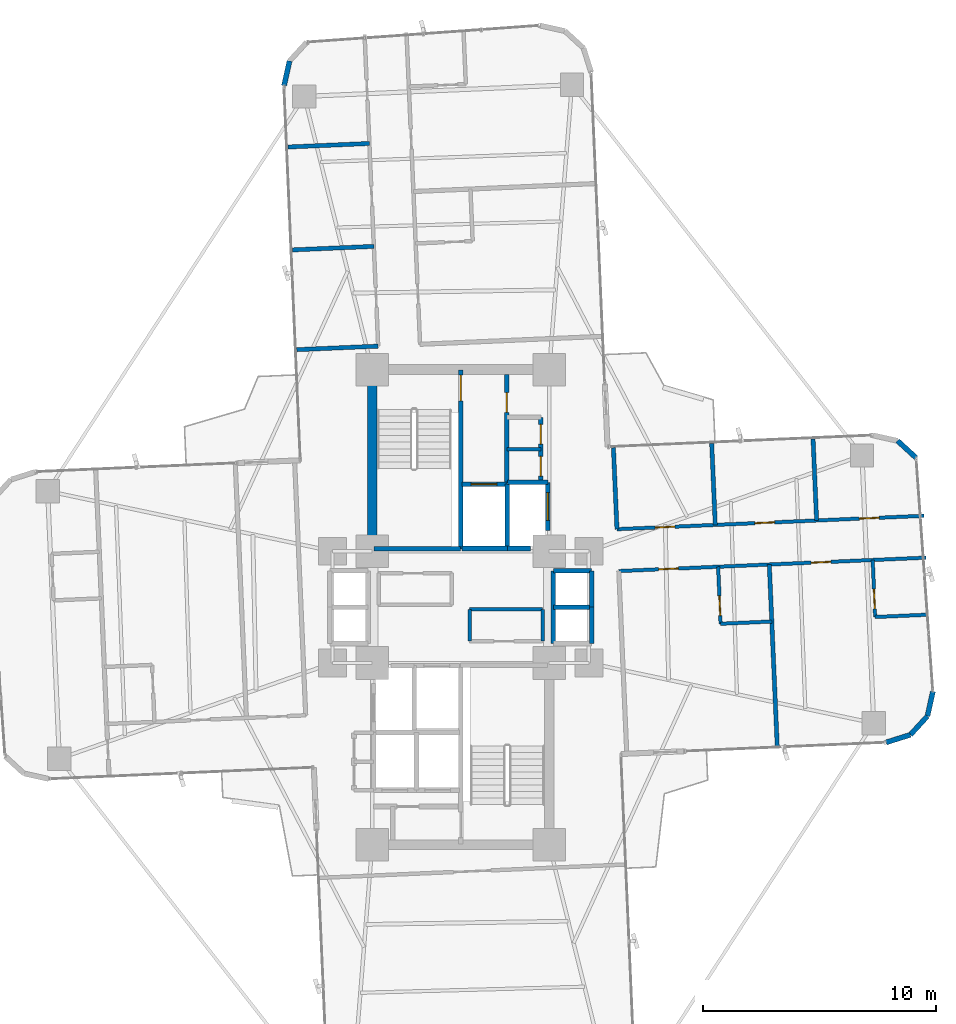
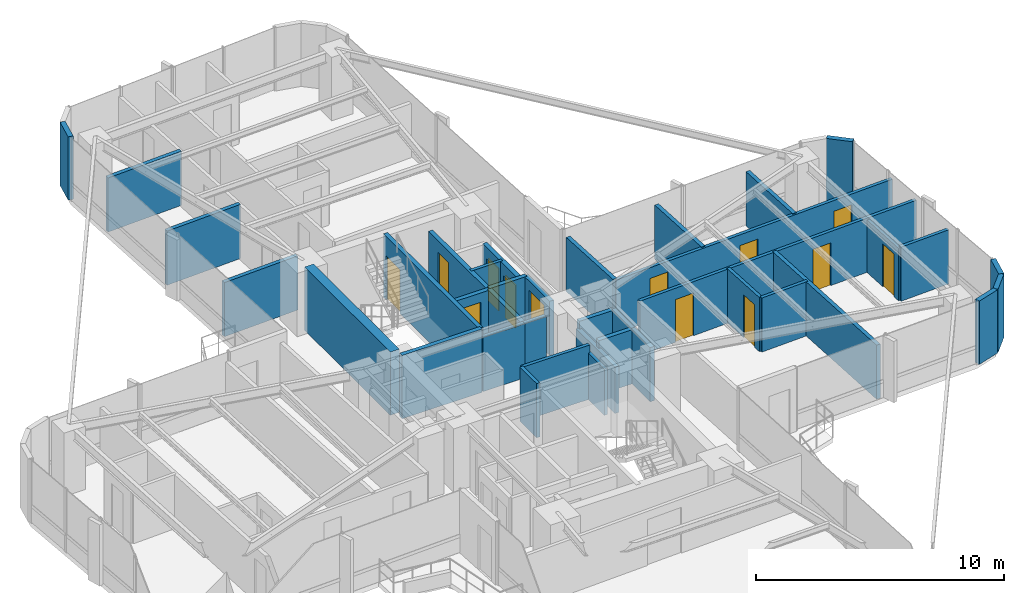
# One storey, part 24 of 26: 38 walls, 13 doors, 13 openings.
"""IFC4 building model written with IfcOpenShell, lengths in metres."""

from ifc_helpers import new_model, si_unit, direction, frame, frame_2d, origin, origin_2d, place, context, subcontext, project, spatial, rectangle, extrude, source, transform, mapped, material, layer, layer_set, type_object, element, fill, save


model = new_model("IFC4")

# Units and contexts
model_context = context("Model", 3, precision=1e-05, world=origin(), true_north=direction((0.0, 1.0)))
body_context = subcontext(model_context, "Body", "Model", "MODEL_VIEW")
ifc_project = project(units=[si_unit("LENGTHUNIT", "METRE"), si_unit("AREAUNIT", "SQUARE_METRE"), si_unit("VOLUMEUNIT", "CUBIC_METRE"), si_unit("PLANEANGLEUNIT", "RADIAN"), si_unit("MASSUNIT", "GRAM", prefix="KILO")], contexts=[model_context])

# Site, building, storey
site_placement = place(None, origin())
site = spatial("IfcSite", under=ifc_project, at=site_placement, CompositionType="ELEMENT")
building_placement = place(site_placement, origin())
building = spatial("IfcBuilding", under=site, at=building_placement, Name="Sahyath Konkavel Grand Hotel", CompositionType="ELEMENT")
storey_placement = place(building_placement, frame((0.0, 0.0, 131.550048828125)))
storey = spatial("IfcBuildingStorey", under=building, at=storey_placement, Name="L36", CompositionType="ELEMENT", Elevation=131.550048828125)

# Walls
ifc_material_1 = material(Name="Concrete C50/60", Category="concrete")
ifc_layer_1 = layer(ifc_material_1, 0.419921875)
ifc_layer_set_1 = layer_set([ifc_layer_1], Name="Concrete C50/60")
wall_type_1 = type_object("IfcWallType", Name="CWALL-420", PredefinedType="SHEAR", material=ifc_layer_set_1)
wall_1_placement = place(storey_placement, frame((-3.800048828125, 2.85009765625, 0.0), z_axis=(0.0, 0.0, 1.0), x_axis=(0.0, 1.0, 0.0)))
element("IfcWall", 1, at=wall_1_placement, inside=storey, type_object=wall_type_1, Name="L36 North Core Shear Wall W", PredefinedType="SHEAR", context=body_context, shape_type="SweptSolid", body=[
    extrude(rectangle(XDim=6.89990234375, YDim=0.419921875, at=frame_2d((3.449951171875, 0.0))), origin(), (0.0, 0.0, 1.0), 3.10986328125),
])
ifc_material_2 = material(Name="Warm Buff Sandstone Insulated Concrete C40/50", Category="masonry")
ifc_layer_2 = layer(ifc_material_2, 0.219970703125)
ifc_layer_set_2 = layer_set([ifc_layer_2], Name="Warm Buff Sandstone Insulated Concrete C40/50")
wall_type_2 = type_object("IfcWallType", Name="WLL-BALC-THRESH", PredefinedType="STANDARD", material=ifc_layer_set_2)
for number, where, z_axis, x_axis, name in (
    (2, (18.270751953125, -5.80859375, 0.0), (0.0, 0.0, 1.0), (0.953721713582, 0.30069069331, 0.0), "L36 Rounded Corner Sandstone Pier 1"),
    (3, (19.3076171875, -5.481689453125, 0.0), (0.0, 0.0, 1.0), (0.675551721847, 0.737312600672, 0.0), "L36 Rounded Corner Sandstone Pier 2"),
):
    element("IfcWall", number, at=place(storey_placement, frame(where, z_axis=z_axis, x_axis=x_axis)), inside=storey, type_object=wall_type_2, Name=name, PredefinedType="STANDARD", context=body_context, shape_type="SweptSolid", body=[
        extrude(rectangle(XDim=1.087158203125, YDim=0.219970703125, at=frame_2d((0.54345703125, 0.0))), origin(), (0.0, 0.0, 1.0), 3.10986328125),
    ])
for number, where, z_axis, x_axis, name in (
    (4, (20.0419921875, -4.68017578125, 0.0), (0.0, 0.0, 1.0), (0.216288323511, 0.976329535102, 0.0), "L36 Rounded Corner Sandstone Pier 3"),
    (5, (19.5576171875, 6.4091796875, 0.0), (0.0, 0.0, 1.0), (-0.737210081318, 0.675663596772, 0.0), "L36 Rounded Corner Sandstone Pier 5"),
):
    element("IfcWall", number, at=place(storey_placement, frame(where, z_axis=z_axis, x_axis=x_axis)), inside=storey, type_object=wall_type_2, Name=name, PredefinedType="STANDARD", context=body_context, shape_type="SweptSolid", body=[
        extrude(rectangle(XDim=1.0869140625, YDim=0.219970703125, at=frame_2d((0.54345703125, 0.0))), origin(), (0.0, 0.0, 1.0), 3.10986328125),
    ])
wall_2_placement = place(storey_placement, frame((-7.3486328125, 23.451904296875, 0.0), z_axis=(0.0, 0.0, 1.0), x_axis=(-0.216454939174, -0.976292609471, 0.0)))
element("IfcWall", 6, at=wall_2_placement, inside=storey, type_object=wall_type_2, Name="L36 Rounded Corner Sandstone Pier 14", PredefinedType="STANDARD", context=body_context, shape_type="SweptSolid", body=[
    extrude(rectangle(XDim=1.08740234375, YDim=0.219970703125, at=frame_2d((0.543701171875, 0.0))), origin(), (0.0, 0.0, 1.0), 3.10986328125),
])

# Wall, opening, door
ifc_material_3 = material(Name="Concrete C40/50", Category="concrete")
ifc_layer_3 = layer(ifc_material_3, 0.199951171875)
ifc_layer_set_3 = layer_set([ifc_layer_3], Name="Concrete C40/50")
wall_type_3 = type_object("IfcWallType", Name="WLL-CORE-200", PredefinedType="SOLIDWALL", material=ifc_layer_set_3)
wall_3_placement = place(storey_placement, frame((0.0, 2.5, 0.0), z_axis=(0.0, 0.0, 1.0), x_axis=(0.0, 1.0, 0.0)))
wall_3 = element("IfcWall", 7, at=wall_3_placement, inside=storey, type_object=wall_type_3, Name="L36 Stair ST-1 Shaft Wall E", PredefinedType="SOLIDWALL", context=body_context, shape_type="SweptSolid", body=[
    extrude(rectangle(XDim=7.679931640625, YDim=0.199951171875, at=frame_2d((3.83984375, 0.0))), origin(), (0.0, 0.0, 1.0), 3.10986328125),
])
opening_1_placement = place(wall_3_placement, frame((6.360107421875, 0.0, 0.0)))
opening_1 = element("IfcOpeningElement", 8, at=opening_1_placement, cuts=wall_3, Name="Opening D-F12B", PredefinedType="OPENING", context=body_context, shape_type="SweptSolid", body=[
    extrude(rectangle(XDim=1.10009765625, YDim=2.14990234375, at=frame_2d((0.550048828125, 1.074951171875))), frame((0.0, 0.10986328125, 0.0), z_axis=(0.0, -1.0, 0.0), x_axis=(1.0, 0.0, 0.0)), (0.0, 0.0, 1.0), 0.219970703125),
])
ifc_material_4 = material(Name="Steel E350 Smokeproof Fire Door", Category="steel")
door_type_1 = type_object("IfcDoorType", Name="DR-FD120-1100", OperationType="NOTDEFINED", PredefinedType="DOOR", material=ifc_material_4)
shared_shape_1 = source(origin(), body_context, "Body", "SweptSolid", [
    extrude(rectangle(XDim=1.10009765625, YDim=0.050048828125, at=origin_2d()), origin(), (0.0, 0.0, 1.0), 2.14990234375),
])
door_1_placement = place(opening_1_placement, frame((0.550048828125, 0.0, 0.0)))
door_1 = element("IfcDoor", 9, at=door_1_placement, inside=storey, type_object=door_type_1, Name="L36 Stair ST-1 Fire Door", OperationType="SINGLE_SWING_RIGHT", OverallHeight=2.14990234375, OverallWidth=1.10009765625, PredefinedType="DOOR", context=body_context, shape_type="MappedRepresentation", body=[
    mapped(shared_shape_1, transform((0.0, 0.0, 0.0), scale=1.0)),
])
fill(opening_1, door_1)

# Wall
wall_4_placement = place(storey_placement, frame((-3.719970703125, 2.5, 0.0), z_axis=(0.0, 0.0, 1.0), x_axis=(1.0, 0.0, 0.0)))
element("IfcWall", 10, at=wall_4_placement, inside=storey, type_object=wall_type_3, Name="L36 Stair ST-1 Shaft Wall S", PredefinedType="SOLIDWALL", context=body_context, shape_type="SweptSolid", body=[
    extrude(rectangle(XDim=3.719970703125, YDim=0.199951171875, at=frame_2d((1.85986328125, 0.0))), origin(), (0.0, 0.0, 1.0), 3.10986328125),
])

# Wall, opening, door
wall_5_placement = place(storey_placement, frame((1.97998046875, 5.320068359375, 0.0), z_axis=(0.0, 0.0, 1.0), x_axis=(0.0, 1.0, 0.0)))
wall_5 = element("IfcWall", 11, at=wall_5_placement, inside=storey, type_object=wall_type_3, Name="L36 North Firefighting Lobby Wall E", PredefinedType="SOLIDWALL", context=body_context, shape_type="SweptSolid", body=[
    extrude(rectangle(XDim=4.659912109375, YDim=0.199951171875, at=frame_2d((2.330078125, 0.0))), origin(), (0.0, 0.0, 1.0), 2.659912109375),
])
opening_2_placement = place(wall_5_placement, frame((3.0400390625, 0.0, 0.0)))
opening_2 = element("IfcOpeningElement", 12, at=opening_2_placement, cuts=wall_5, Name="Opening D-F12D", PredefinedType="OPENING", context=body_context, shape_type="SweptSolid", body=[
    extrude(rectangle(XDim=0.85009765625, YDim=2.10009765625, at=frame_2d((0.425048828125, 1.050048828125))), frame((0.0, 0.10986328125, 0.0), z_axis=(0.0, -1.0, 0.0), x_axis=(1.0, 0.0, 0.0)), (0.0, 0.0, 1.0), 0.219970703125),
])
ifc_material_5 = material(Name="Steel E350 Core Fire Door", Category="steel")
door_type_2 = type_object("IfcDoorType", Name="DR-FD120-850", OperationType="NOTDEFINED", PredefinedType="DOOR", material=ifc_material_5)
shared_shape_2 = source(origin(), body_context, "Body", "SweptSolid", [
    extrude(rectangle(XDim=0.85009765625, YDim=0.050048828125, at=origin_2d()), origin(), (0.0, 0.0, 1.0), 2.10009765625),
])
door_2_placement = place(opening_2_placement, frame((0.425048828125, 0.0, 0.0)))
door_2 = element("IfcDoor", 13, at=door_2_placement, inside=storey, type_object=door_type_2, Name="L36 North Firefighting Lobby Door", OperationType="SINGLE_SWING_RIGHT", OverallHeight=2.10009765625, OverallWidth=0.85009765625, PredefinedType="DOOR", context=body_context, shape_type="MappedRepresentation", body=[
    mapped(shared_shape_2, transform((0.0, 0.0, 0.0), scale=1.0)),
])
fill(opening_2, door_2)

# Walls
wall_6_placement = place(storey_placement, frame((2.0, 2.5, 0.0), z_axis=(0.0, 0.0, 1.0), x_axis=(0.0, 1.0, 0.0)))
element("IfcWall", 14, at=wall_6_placement, inside=storey, type_object=wall_type_3, Name="L36 Partition SH-FFL1-E", PredefinedType="SOLIDWALL", context=body_context, shape_type="SweptSolid", body=[
    extrude(rectangle(XDim=2.780029296875, YDim=0.199951171875, at=frame_2d((1.39013671875, 0.0))), origin(), (0.0, 0.0, 1.0), 2.659912109375),
])
wall_7_placement = place(storey_placement, frame((0.050048828125, 2.52001953125, 0.0), z_axis=(0.0, 0.0, 1.0), x_axis=(1.0, 0.0, 0.0)))
element("IfcWall", 15, at=wall_7_placement, inside=storey, type_object=wall_type_3, Name="L36 Partition SH-FFL1-S", PredefinedType="SOLIDWALL", context=body_context, shape_type="SweptSolid", body=[
    extrude(rectangle(XDim=1.949951171875, YDim=0.199951171875, at=frame_2d((0.97509765625, 0.0))), origin(), (0.0, 0.0, 1.0), 2.659912109375),
])

# Wall, opening, door
wall_8_placement = place(storey_placement, frame((0.050048828125, 5.280029296875, 0.0), z_axis=(0.0, 0.0, 1.0), x_axis=(1.0, 0.0, 0.0)))
wall_8 = element("IfcWall", 16, at=wall_8_placement, inside=storey, type_object=wall_type_3, Name="L36 Partition SH-FFL1-N", PredefinedType="SOLIDWALL", context=body_context, shape_type="SweptSolid", body=[
    extrude(rectangle(XDim=1.929931640625, YDim=0.199951171875, at=frame_2d((0.96484375, 0.0))), origin(), (0.0, 0.0, 1.0), 2.659912109375),
])
opening_3_placement = place(wall_8_placement, frame((0.39990234375, 0.0, 0.0)))
opening_3 = element("IfcOpeningElement", 17, at=opening_3_placement, cuts=wall_8, Name="Opening LD-11", PredefinedType="OPENING", context=body_context, shape_type="SweptSolid", body=[
    extrude(rectangle(XDim=1.10009765625, YDim=2.199951171875, at=frame_2d((0.550048828125, 1.10009765625))), frame((0.0, 0.10986328125, 0.0), z_axis=(0.0, -1.0, 0.0), x_axis=(1.0, 0.0, 0.0)), (0.0, 0.0, 1.0), 0.219970703125),
])
ifc_material_6 = material(Name="Bronze Lift Landing Door 1100")
door_type_3 = type_object("IfcDoorType", Name="DR-LIFT-1100", OperationType="DOUBLE_DOOR_SLIDING", PredefinedType="DOOR", material=ifc_material_6)
shared_shape_3 = source(origin(), body_context, "Body", "SweptSolid", [
    extrude(rectangle(XDim=1.10009765625, YDim=0.050048828125, at=origin_2d()), origin(), (0.0, 0.0, 1.0), 2.199951171875),
])
door_3_placement = place(opening_3_placement, frame((0.550048828125, 0.0, 0.0)))
door_3 = element("IfcDoor", 18, at=door_3_placement, inside=storey, type_object=door_type_3, Name="L36 Lift FFL-1 Landing Door", OperationType="DOUBLE_DOOR_SLIDING", OverallHeight=2.199951171875, OverallWidth=1.10009765625, PredefinedType="DOOR", context=body_context, shape_type="MappedRepresentation", body=[
    mapped(shared_shape_3, transform((0.0, 0.0, 0.0), scale=1.0)),
])
fill(opening_3, door_3)

# Walls
wall_9_placement = place(storey_placement, frame((2.0, 2.52001953125, 0.0), z_axis=(0.0, 0.0, 1.0), x_axis=(1.0, 0.0, 0.0)))
element("IfcWall", 19, at=wall_9_placement, inside=storey, type_object=wall_type_3, Name="L36 Partition SH-SVL1-S", PredefinedType="SOLIDWALL", context=body_context, shape_type="SweptSolid", body=[
    extrude(rectangle(XDim=1.0, YDim=0.199951171875, at=frame_2d((0.5, 0.0))), origin(), (0.0, 0.0, 1.0), 2.659912109375),
])
wall_10_placement = place(storey_placement, frame((2.0, 5.360107421875, 0.0), z_axis=(0.0, 0.0, 1.0), x_axis=(1.0, 0.0, 0.0)))
element("IfcWall", 20, at=wall_10_placement, inside=storey, type_object=wall_type_3, Name="L36 Partition SH-SVL1-N", PredefinedType="SOLIDWALL", context=body_context, shape_type="SweptSolid", body=[
    extrude(rectangle(XDim=1.739990234375, YDim=0.199951171875, at=frame_2d((0.8701171875, 0.0))), origin(), (0.0, 0.0, 1.0), 2.659912109375),
])

# Wall, opening, door
wall_11_placement = place(storey_placement, frame((3.739990234375, 3.280029296875, 0.0), z_axis=(0.0, 0.0, 1.0), x_axis=(0.0, 1.0, 0.0)))
wall_11 = element("IfcWall", 21, at=wall_11_placement, inside=storey, type_object=wall_type_3, Name="L36 Partition SH-SVL1-E", PredefinedType="SOLIDWALL", context=body_context, shape_type="SweptSolid", body=[
    extrude(rectangle(XDim=2.080078125, YDim=0.199951171875, at=frame_2d((1.0400390625, 0.0))), origin(), (0.0, 0.0, 1.0), 2.659912109375),
])
opening_4_placement = place(wall_11_placement, frame((0.43994140625, 0.0, 0.0)))
opening_4 = element("IfcOpeningElement", 22, at=opening_4_placement, cuts=wall_11, Name="Opening LD-12", PredefinedType="OPENING", context=body_context, shape_type="SweptSolid", body=[
    extrude(rectangle(XDim=1.199951171875, YDim=2.199951171875, at=frame_2d((0.60009765625, 1.10009765625))), frame((0.0, 0.10986328125, 0.0), z_axis=(0.0, -1.0, 0.0), x_axis=(1.0, 0.0, 0.0)), (0.0, 0.0, 1.0), 0.219970703125),
])
ifc_material_7 = material(Name="Stainless Steel Lift Landing Door 1200", Category="steel")
door_type_4 = type_object("IfcDoorType", Name="DR-LIFT-1200", OperationType="DOUBLE_DOOR_SLIDING", PredefinedType="DOOR", material=ifc_material_7)
shared_shape_4 = source(origin(), body_context, "Body", "SweptSolid", [
    extrude(rectangle(XDim=1.199951171875, YDim=0.050048828125, at=origin_2d()), origin(), (0.0, 0.0, 1.0), 2.199951171875),
])
door_4_placement = place(opening_4_placement, frame((0.60009765625, 0.0, 0.0)))
door_4 = element("IfcDoor", 23, at=door_4_placement, inside=storey, type_object=door_type_4, Name="L36 Service Lift SVL-1 Landing Door", OperationType="DOUBLE_DOOR_SLIDING", OverallHeight=2.199951171875, OverallWidth=1.199951171875, PredefinedType="DOOR", context=body_context, shape_type="MappedRepresentation", body=[
    mapped(shared_shape_4, transform((0.0, 0.0, 0.0), scale=1.0)),
])
fill(opening_4, door_4)

# Walls
wall_12_placement = place(storey_placement, frame((3.97998046875, -1.56005859375, 0.0), z_axis=(0.0, 0.0, 1.0), x_axis=(0.0, 1.0, 0.0)))
element("IfcWall", 24, at=wall_12_placement, inside=storey, type_object=wall_type_3, Name="L36 Partition SH-PL56-W", PredefinedType="SOLIDWALL", context=body_context, shape_type="SweptSolid", body=[
    extrude(rectangle(XDim=3.1201171875, YDim=0.199951171875, at=frame_2d((1.56005859375, 0.0))), origin(), (0.0, 0.0, 1.0), 2.280029296875),
])
for number, where, z_axis, x_axis, name in (
    (25, (3.97998046875, 1.56005859375, 0.0), (0.0, 0.0, 1.0), (1.0, 0.0, 0.0), "L36 Partition SH-PL56-N"),
    (26, (3.97998046875, 0.0, 0.0), (0.0, 0.0, 1.0), (1.0, 0.0, 0.0), "L36 Partition SH-PL56-M"),
):
    element("IfcWall", number, at=place(storey_placement, frame(where, z_axis=z_axis, x_axis=x_axis)), inside=storey, type_object=wall_type_3, Name=name, PredefinedType="SOLIDWALL", context=body_context, shape_type="SweptSolid", body=[
        extrude(rectangle(XDim=1.64013671875, YDim=0.199951171875, at=frame_2d((0.820068359375, 0.0))), origin(), (0.0, 0.0, 1.0), 2.659912109375),
    ])
for number, where, z_axis, x_axis, name in (
    (27, (5.6201171875, 0.0, 0.0), (0.0, 0.0, 1.0), (0.0, 1.0, 0.0), "L36 Partition SH-PL5-E"),
    (28, (5.6201171875, -1.56005859375, 0.0), (0.0, 0.0, 1.0), (0.0, 1.0, 0.0), "L36 Partition SH-PL6-E"),
):
    element("IfcWall", number, at=place(storey_placement, frame(where, z_axis=z_axis, x_axis=x_axis)), inside=storey, type_object=wall_type_3, Name=name, PredefinedType="SOLIDWALL", context=body_context, shape_type="SweptSolid", body=[
        extrude(rectangle(XDim=1.56005859375, YDim=0.199951171875, at=frame_2d((0.780029296875, 0.0))), origin(), (0.0, 0.0, 1.0), 2.659912109375),
    ])

# Wall, openings, doors
wall_13_placement = place(storey_placement, frame((3.43994140625, 5.3798828125, 0.0), z_axis=(0.0, 0.0, 1.0), x_axis=(0.0, 1.0, 0.0)))
wall_13 = element("IfcWall", 29, at=wall_13_placement, inside=storey, type_object=wall_type_3, Name="L36 Reclaimed North Core Wall E", PredefinedType="SOLIDWALL", context=body_context, shape_type="SweptSolid", body=[
    extrude(rectangle(XDim=2.77001953125, YDim=0.199951171875, at=frame_2d((1.385009765625, 0.0))), origin(), (0.0, 0.0, 1.0), 2.659912109375),
])
opening_5_placement = place(wall_13_placement, frame((0.239990234375, 0.0, 0.0)))
opening_5 = element("IfcOpeningElement", 30, at=opening_5_placement, cuts=wall_13, Name="Opening D-F06D", PredefinedType="OPENING", context=body_context, shape_type="SweptSolid", body=[
    extrude(rectangle(XDim=0.85009765625, YDim=2.10009765625, at=frame_2d((0.425048828125, 1.050048828125))), frame((0.0, 0.10986328125, 0.0), z_axis=(0.0, -1.0, 0.0), x_axis=(1.0, 0.0, 0.0)), (0.0, 0.0, 1.0), 0.219970703125),
])
opening_6_placement = place(wall_13_placement, frame((1.6201171875, 0.0, 0.0)))
opening_6 = element("IfcOpeningElement", 31, at=opening_6_placement, cuts=wall_13, Name="Opening D-F06D", PredefinedType="OPENING", context=body_context, shape_type="SweptSolid", body=[
    extrude(rectangle(XDim=0.85009765625, YDim=2.10009765625, at=frame_2d((0.425048828125, 1.050048828125))), frame((0.0, 0.10986328125, 0.0), z_axis=(0.0, -1.0, 0.0), x_axis=(1.0, 0.0, 0.0)), (0.0, 0.0, 1.0), 0.219970703125),
])
ifc_material_8 = material(Name="Fire-Rated Shaft Access Door")
door_type_5 = type_object("IfcDoorType", Name="DR-FD60-850", OperationType="NOTDEFINED", PredefinedType="DOOR", material=ifc_material_8)
door_5_placement = place(opening_5_placement, frame((0.425048828125, 0.0, 0.0)))
door_5 = element("IfcDoor", 32, at=door_5_placement, inside=storey, type_object=door_type_5, Name="L36 Door NC-REC1-D", OperationType="SINGLE_SWING_LEFT", OverallHeight=2.10009765625, OverallWidth=0.85009765625, PredefinedType="DOOR", context=body_context, shape_type="MappedRepresentation", body=[
    mapped(shared_shape_2, transform((0.0, 0.0, 0.0), scale=1.0)),
])
fill(opening_5, door_5)
door_6_placement = place(opening_6_placement, frame((0.425048828125, 0.0, 0.0)))
door_6 = element("IfcDoor", 33, at=door_6_placement, inside=storey, type_object=door_type_5, Name="L36 Door NC-REC2-D", OperationType="SINGLE_SWING_RIGHT", OverallHeight=2.10009765625, OverallWidth=0.85009765625, PredefinedType="DOOR", context=body_context, shape_type="MappedRepresentation", body=[
    mapped(shared_shape_2, transform((0.0, 0.0, 0.0), scale=1.0)),
])
fill(opening_6, door_6)

# Walls
ifc_material_9 = material(Name="Twin-Stud Acoustic Gypsum Plasterboard Partition")
ifc_layer_4 = layer(ifc_material_9, 0.179931640625)
ifc_layer_set_4 = layer_set([ifc_layer_4], Name="Twin-Stud Acoustic Gypsum Plasterboard Partition")
wall_type_4 = type_object("IfcWallType", Name="WLL-DEMISE-180", PredefinedType="PARTITIONING", material=ifc_layer_set_4)
wall_14_placement = place(storey_placement, frame((6.71044921875, 3.345947265625, 0.0), z_axis=(0.0, 0.0, 1.0), x_axis=(-0.043597663116, 0.999049169846, 0.0)))
element("IfcWall", 34, at=wall_14_placement, inside=storey, type_object=wall_type_4, Name="L36 Partition E-INL", PredefinedType="PARTITIONING", context=body_context, shape_type="SweptSolid", body=[
    extrude(rectangle(XDim=3.5, YDim=0.179931640625, at=frame_2d((1.75, 0.0))), origin(), (0.0, 0.0, 1.0), 2.659912109375),
])
wall_15_placement = place(storey_placement, frame((10.930419921875, 3.530029296875, 0.0), z_axis=(0.0, 0.0, 1.0), x_axis=(-0.04359462501, 0.999049302422, 0.0)))
element("IfcWall", 35, at=wall_15_placement, inside=storey, type_object=wall_type_4, Name="L36 Partition E-E1L-DEM", PredefinedType="PARTITIONING", context=body_context, shape_type="SweptSolid", body=[
    extrude(rectangle(XDim=3.500244140625, YDim=0.179931640625, at=frame_2d((1.75, 0.0))), origin(), (0.0, 0.0, 1.0), 2.659912109375),
])
wall_16_placement = place(storey_placement, frame((15.2822265625, 3.72021484375, 0.0), z_axis=(0.0, 0.0, 1.0), x_axis=(-0.043597663116, 0.999049169846, 0.0)))
element("IfcWall", 36, at=wall_16_placement, inside=storey, type_object=wall_type_4, Name="L36 Partition E-E2L-DEM", PredefinedType="PARTITIONING", context=body_context, shape_type="SweptSolid", body=[
    extrude(rectangle(XDim=3.5, YDim=0.179931640625, at=frame_2d((1.75, 0.0))), origin(), (0.0, 0.0, 1.0), 2.659912109375),
])
wall_17_placement = place(storey_placement, frame((13.250732421875, 1.82958984375, 0.0), z_axis=(0.0, 0.0, 1.0), x_axis=(0.043632821702, -0.999047634936, 0.0)))
element("IfcWall", 37, at=wall_17_placement, inside=storey, type_object=wall_type_4, Name="L36 Partition E-E1R-DEM", PredefinedType="PARTITIONING", context=body_context, shape_type="SweptSolid", body=[
    extrude(rectangle(XDim=7.7998046875, YDim=0.179931640625, at=frame_2d((3.89990234375, 0.0))), origin(), (0.0, 0.0, 1.0), 2.659912109375),
])
for number, where, z_axis, x_axis, name in (
    (38, (-3.542236328125, 11.206298828125, 0.0), (0.0, 0.0, 1.0), (-0.999046129111, -0.04366728647, 0.0), "L36 Partition N-INL"),
    (39, (-3.729248046875, 15.489990234375, 0.0), (0.0, 0.0, 1.0), (-0.999049169846, -0.043597663116, 0.0), "L36 Partition N-N1L-DEM"),
    (40, (-3.922119140625, 19.907958984375, 0.0), (0.0, 0.0, 1.0), (-0.999046129111, -0.04366728647, 0.0), "L36 Partition N-N2L-DEM"),
):
    element("IfcWall", number, at=place(storey_placement, frame(where, z_axis=z_axis, x_axis=x_axis)), inside=storey, type_object=wall_type_4, Name=name, PredefinedType="PARTITIONING", context=body_context, shape_type="SweptSolid", body=[
        extrude(rectangle(XDim=3.5, YDim=0.179931640625, at=frame_2d((1.75, 0.0))), origin(), (0.0, 0.0, 1.0), 2.659912109375),
    ])
ifc_material_10 = material(Name="Fire-Rated Gypsum Plasterboard Partition")
ifc_layer_5 = layer(ifc_material_10, 0.14990234375)
ifc_layer_set_5 = layer_set([ifc_layer_5], Name="Fire-Rated Gypsum Plasterboard Partition")
wall_type_5 = type_object("IfcWallType", Name="WLL-PART-150", PredefinedType="PARTITIONING", material=ifc_layer_set_5)
wall_18_placement = place(storey_placement, frame((1.97998046875, 6.77001953125, 0.0), z_axis=(0.0, 0.0, 1.0), x_axis=(1.0, 0.0, 0.0)))
element("IfcWall", 41, at=wall_18_placement, inside=storey, type_object=wall_type_5, Name="L36 Partition NC-REC-M1", PredefinedType="PARTITIONING", context=body_context, shape_type="SweptSolid", body=[
    extrude(rectangle(XDim=1.4599609375, YDim=0.14990234375, at=frame_2d((0.72998046875, 0.0))), origin(), (0.0, 0.0, 1.0), 2.659912109375),
])
wall_19_placement = place(storey_placement, frame((0.3798828125, -0.10009765625, 0.0), z_axis=(0.0, 0.0, 1.0), x_axis=(1.0, 0.0, 0.0)))
element("IfcWall", 42, at=wall_19_placement, inside=storey, type_object=wall_type_5, Name="L36 Partition CC-3SEN", PredefinedType="PARTITIONING", context=body_context, shape_type="SweptSolid", body=[
    extrude(rectangle(XDim=3.14013671875, YDim=0.14990234375, at=frame_2d((1.570068359375, 0.0))), origin(), (0.0, 0.0, 1.0), 2.659912109375),
])
wall_20_placement = place(storey_placement, frame((0.3798828125, -1.4599609375, 0.0), z_axis=(0.0, 0.0, 1.0), x_axis=(0.0, 1.0, 0.0)))
element("IfcWall", 43, at=wall_20_placement, inside=storey, type_object=wall_type_5, Name="L36 Partition CC-3SEW", PredefinedType="PARTITIONING", context=body_context, shape_type="SweptSolid", body=[
    extrude(rectangle(XDim=1.35986328125, YDim=0.14990234375, at=frame_2d((0.679931640625, 0.0))), origin(), (0.0, 0.0, 1.0), 2.659912109375),
])
wall_21_placement = place(storey_placement, frame((3.52001953125, -1.4599609375, 0.0), z_axis=(0.0, 0.0, 1.0), x_axis=(0.0, 1.0, 0.0)))
element("IfcWall", 44, at=wall_21_placement, inside=storey, type_object=wall_type_5, Name="L36 Partition CC-3SEE", PredefinedType="PARTITIONING", context=body_context, shape_type="SweptSolid", body=[
    extrude(rectangle(XDim=1.35986328125, YDim=0.14990234375, at=frame_2d((0.679931640625, 0.0))), origin(), (0.0, 0.0, 1.0), 2.280029296875),
])

# Wall, openings, doors
wall_22_placement = place(storey_placement, frame((6.71044921875, 3.345947265625, 0.0), z_axis=(0.0, 0.0, 1.0), x_axis=(0.999048535483, 0.04361219725, 0.0)))
wall_22 = element("IfcWall", 45, at=wall_22_placement, inside=storey, type_object=wall_type_5, Name="L36 Partition E-CL", PredefinedType="PARTITIONING", context=body_context, shape_type="SweptSolid", body=[
    extrude(rectangle(XDim=13.199951171875, YDim=0.14990234375, at=frame_2d((6.60009765625, 0.0))), origin(), (0.0, 0.0, 1.0), 2.6298828125),
])
opening_7_placement = place(wall_22_placement, frame((1.636962890625, 0.0, 0.0)))
opening_7 = element("IfcOpeningElement", 46, at=opening_7_placement, cuts=wall_22, Name="Opening D-F06D", PredefinedType="OPENING", context=body_context, shape_type="SweptSolid", body=[
    extrude(rectangle(XDim=0.85009765625, YDim=2.10009765625, at=frame_2d((0.425048828125, 1.050048828125))), frame((0.0, 0.0849609375, 0.0), z_axis=(0.0, -1.0, 0.0), x_axis=(1.0, 0.0, 0.0)), (0.0, 0.0, 1.0), 0.169921875),
])
opening_8_placement = place(wall_22_placement, frame((5.927001953125, 0.0, 0.0)))
opening_8 = element("IfcOpeningElement", 47, at=opening_8_placement, cuts=wall_22, Name="Opening D-F06D", PredefinedType="OPENING", context=body_context, shape_type="SweptSolid", body=[
    extrude(rectangle(XDim=0.85009765625, YDim=2.10009765625, at=frame_2d((0.425048828125, 1.050048828125))), frame((0.0, 0.0849609375, 0.0), z_axis=(0.0, -1.0, 0.0), x_axis=(1.0, 0.0, 0.0)), (0.0, 0.0, 1.0), 0.169921875),
])
opening_9_placement = place(wall_22_placement, frame((10.4150390625, 0.0, 0.0)))
opening_9 = element("IfcOpeningElement", 48, at=opening_9_placement, cuts=wall_22, Name="Opening D-F06D", PredefinedType="OPENING", context=body_context, shape_type="SweptSolid", body=[
    extrude(rectangle(XDim=0.85009765625, YDim=2.10009765625, at=frame_2d((0.425048828125, 1.050048828125))), frame((0.0, 0.0849609375, 0.0), z_axis=(0.0, -1.0, 0.0), x_axis=(1.0, 0.0, 0.0)), (0.0, 0.0, 1.0), 0.169921875),
])
door_7_placement = place(opening_7_placement, frame((0.425048828125, 0.0, 0.0)))
door_7 = element("IfcDoor", 49, at=door_7_placement, inside=storey, type_object=door_type_5, Name="L36 Door E-E1L-D", OperationType="SINGLE_SWING_LEFT", OverallHeight=2.10009765625, OverallWidth=0.85009765625, PredefinedType="DOOR", context=body_context, shape_type="MappedRepresentation", body=[
    mapped(shared_shape_2, transform((0.0, 0.0, 0.0), scale=1.0)),
])
fill(opening_7, door_7)
door_8_placement = place(opening_8_placement, frame((0.425048828125, 0.0, 0.0)))
door_8 = element("IfcDoor", 50, at=door_8_placement, inside=storey, type_object=door_type_5, Name="L36 Door E-E2L-D", OperationType="SINGLE_SWING_RIGHT", OverallHeight=2.10009765625, OverallWidth=0.85009765625, PredefinedType="DOOR", context=body_context, shape_type="MappedRepresentation", body=[
    mapped(shared_shape_2, transform((0.0, 0.0, 0.0), scale=1.0)),
])
fill(opening_8, door_8)
door_9_placement = place(opening_9_placement, frame((0.425048828125, 0.0, 0.0)))
door_9 = element("IfcDoor", 51, at=door_9_placement, inside=storey, type_object=door_type_5, Name="L36 Door E-E3L-D", OperationType="SINGLE_SWING_LEFT", OverallHeight=2.10009765625, OverallWidth=0.85009765625, PredefinedType="DOOR", context=body_context, shape_type="MappedRepresentation", body=[
    mapped(shared_shape_2, transform((0.0, 0.0, 0.0), scale=1.0)),
])
fill(opening_9, door_9)

wall_23_placement = place(storey_placement, frame((6.7890625, 1.547607421875, 0.0), z_axis=(0.0, 0.0, 1.0), x_axis=(0.999048500303, 0.043613003123, 0.0)))
wall_23 = element("IfcWall", 52, at=wall_23_placement, inside=storey, type_object=wall_type_5, Name="L36 Partition E-CR", PredefinedType="PARTITIONING", context=body_context, shape_type="SweptSolid", body=[
    extrude(rectangle(XDim=13.19970703125, YDim=0.14990234375, at=frame_2d((6.599853515625, 0.0))), origin(), (0.0, 0.0, 1.0), 2.659912109375),
])
opening_10_placement = place(wall_23_placement, frame((1.7099609375, 0.0, 0.0)))
opening_10 = element("IfcOpeningElement", 53, at=opening_10_placement, cuts=wall_23, Name="Opening D-F06D", PredefinedType="OPENING", context=body_context, shape_type="SweptSolid", body=[
    extrude(rectangle(XDim=0.85009765625, YDim=2.10009765625, at=frame_2d((0.425048828125, 1.050048828125))), frame((0.0, 0.0849609375, 0.0), z_axis=(0.0, -1.0, 0.0), x_axis=(1.0, 0.0, 0.0)), (0.0, 0.0, 1.0), 0.169921875),
])
opening_11_placement = place(wall_23_placement, frame((8.263916015625, 0.0, 0.0)))
opening_11 = element("IfcOpeningElement", 54, at=opening_11_placement, cuts=wall_23, Name="Opening D-F06D", PredefinedType="OPENING", context=body_context, shape_type="SweptSolid", body=[
    extrude(rectangle(XDim=0.85009765625, YDim=2.10009765625, at=frame_2d((0.425048828125, 1.050048828125))), frame((0.0, 0.0849609375, 0.0), z_axis=(0.0, -1.0, 0.0), x_axis=(1.0, 0.0, 0.0)), (0.0, 0.0, 1.0), 0.169921875),
])
door_10_placement = place(opening_10_placement, frame((0.425048828125, 0.0, 0.0)))
door_10 = element("IfcDoor", 55, at=door_10_placement, inside=storey, type_object=door_type_5, Name="L36 Door E-E1R-ED", OperationType="SINGLE_SWING_LEFT", OverallHeight=2.10009765625, OverallWidth=0.85009765625, PredefinedType="DOOR", context=body_context, shape_type="MappedRepresentation", body=[
    mapped(shared_shape_2, transform((0.0, 0.0, 0.0), scale=1.0)),
])
fill(opening_10, door_10)
door_11_placement = place(opening_11_placement, frame((0.425048828125, 0.0, 0.0)))
door_11 = element("IfcDoor", 56, at=door_11_placement, inside=storey, type_object=door_type_5, Name="L36 Door E-E2R-ED", OperationType="SINGLE_SWING_LEFT", OverallHeight=2.10009765625, OverallWidth=0.85009765625, PredefinedType="DOOR", context=body_context, shape_type="MappedRepresentation", body=[
    mapped(shared_shape_2, transform((0.0, 0.0, 0.0), scale=1.0)),
])
fill(opening_11, door_11)

# Wall, opening, door
wall_24_placement = place(storey_placement, frame((11.053955078125, 1.73388671875, 0.0), z_axis=(0.0, 0.0, 1.0), x_axis=(0.043644787072, -0.999047112283, 0.0)))
wall_24 = element("IfcWall", 57, at=wall_24_placement, inside=storey, type_object=wall_type_5, Name="L36 Partition E-E1R-BS", PredefinedType="PARTITIONING", context=body_context, shape_type="SweptSolid", body=[
    extrude(rectangle(XDim=2.4501953125, YDim=0.14990234375, at=frame_2d((1.22509765625, 0.0))), origin(), (0.0, 0.0, 1.0), 2.659912109375),
])
opening_12_placement = place(wall_24_placement, frame((1.25, 0.0, 0.0)))
opening_12 = element("IfcOpeningElement", 58, at=opening_12_placement, cuts=wall_24, Name="Opening D-BT85", PredefinedType="OPENING", context=body_context, shape_type="SweptSolid", body=[
    extrude(rectangle(XDim=0.85009765625, YDim=2.10009765625, at=frame_2d((0.425048828125, 1.050048828125))), frame((0.0, 0.0849609375, 0.0), z_axis=(0.0, -1.0, 0.0), x_axis=(1.0, 0.0, 0.0)), (0.0, 0.0, 1.0), 0.169921875),
])
ifc_material_11 = material(Name="Moisture-Resistant Teak Bathroom Door")
door_type_6 = type_object("IfcDoorType", Name="DR-BATH-850", OperationType="NOTDEFINED", PredefinedType="DOOR", material=ifc_material_11)
door_12_placement = place(opening_12_placement, frame((0.425048828125, 0.0, 0.0)))
door_12 = element("IfcDoor", 59, at=door_12_placement, inside=storey, type_object=door_type_6, Name="L36 Door E-E1R-BD", OperationType="SINGLE_SWING_RIGHT", OverallHeight=2.10009765625, OverallWidth=0.85009765625, PredefinedType="DOOR", context=body_context, shape_type="MappedRepresentation", body=[
    mapped(shared_shape_2, transform((0.0, 0.0, 0.0), scale=1.0)),
])
fill(opening_12, door_12)

# Wall
wall_25_placement = place(storey_placement, frame((11.160888671875, -0.7138671875, 0.0), z_axis=(0.0, 0.0, 1.0), x_axis=(0.999047549714, 0.043634772954, 0.0)))
element("IfcWall", 60, at=wall_25_placement, inside=storey, type_object=wall_type_5, Name="L36 Partition E-E1R-BF", PredefinedType="PARTITIONING", context=body_context, shape_type="SweptSolid", body=[
    extrude(rectangle(XDim=2.198974609375, YDim=0.14990234375, at=frame_2d((1.099609375, 0.0))), origin(), (0.0, 0.0, 1.0), 2.659912109375),
])

# Wall, opening, door
wall_26_placement = place(storey_placement, frame((17.689697265625, 2.0234375, 0.0), z_axis=(0.0, 0.0, 1.0), x_axis=(0.043549666039, -0.999051263243, 0.0)))
wall_26 = element("IfcWall", 61, at=wall_26_placement, inside=storey, type_object=wall_type_5, Name="L36 Partition E-E2R-BS", PredefinedType="PARTITIONING", context=body_context, shape_type="SweptSolid", body=[
    extrude(rectangle(XDim=2.449951171875, YDim=0.14990234375, at=frame_2d((1.22509765625, 0.0))), origin(), (0.0, 0.0, 1.0), 2.579833984375),
])
opening_13_placement = place(wall_26_placement, frame((1.25, 0.0, 0.0)))
opening_13 = element("IfcOpeningElement", 62, at=opening_13_placement, cuts=wall_26, Name="Opening D-BT85", PredefinedType="OPENING", context=body_context, shape_type="SweptSolid", body=[
    extrude(rectangle(XDim=0.85009765625, YDim=2.10009765625, at=frame_2d((0.425048828125, 1.050048828125))), frame((0.0, 0.0849609375, 0.0), z_axis=(0.0, -1.0, 0.0), x_axis=(1.0, 0.0, 0.0)), (0.0, 0.0, 1.0), 0.169921875),
])
door_13_placement = place(opening_13_placement, frame((0.425048828125, 0.0, 0.0)))
door_13 = element("IfcDoor", 63, at=door_13_placement, inside=storey, type_object=door_type_6, Name="L36 Door E-E2R-BD", OperationType="SINGLE_SWING_RIGHT", OverallHeight=2.10009765625, OverallWidth=0.85009765625, PredefinedType="DOOR", context=body_context, shape_type="MappedRepresentation", body=[
    mapped(shared_shape_2, transform((0.0, 0.0, 0.0), scale=1.0)),
])
fill(opening_13, door_13)

# Wall
wall_27_placement = place(storey_placement, frame((17.79638671875, -0.424072265625, 0.0), z_axis=(0.0, 0.0, 1.0), x_axis=(0.99904809168, 0.043622362496, 0.0)))
element("IfcWall", 64, at=wall_27_placement, inside=storey, type_object=wall_type_5, Name="L36 Partition E-E2R-BF", PredefinedType="PARTITIONING", context=body_context, shape_type="SweptSolid", body=[
    extrude(rectangle(XDim=2.2890625, YDim=0.14990234375, at=frame_2d((1.14453125, 0.0))), origin(), (0.0, 0.0, 1.0), 2.659912109375),
])

save(model, "model.ifc")
